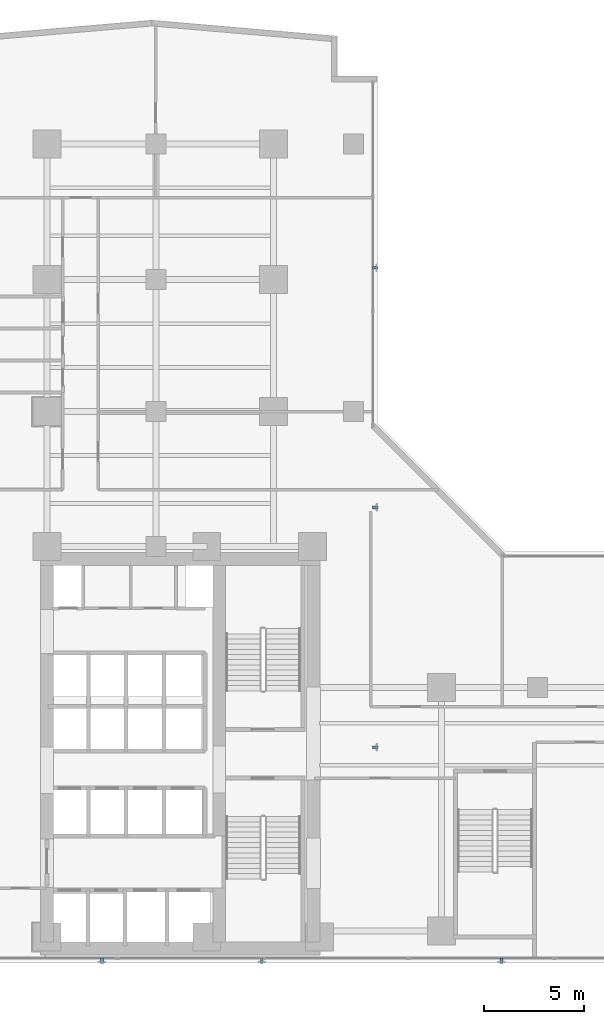
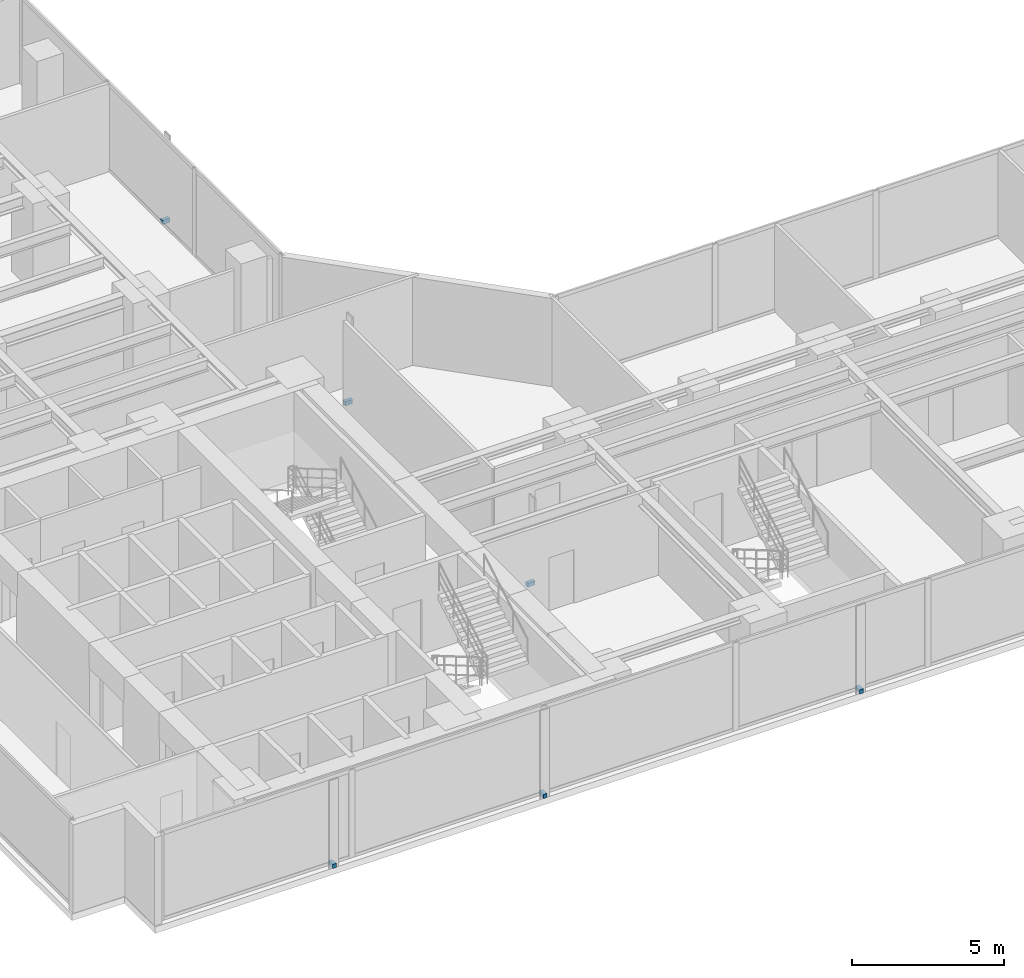
# One storey, part 23 of 28: 6 discrete accessories.
"""IFC4 building model written with IfcOpenShell, lengths in metres."""

from ifc_helpers import new_model, si_unit, direction, frame, origin, origin_with_axes, origin_2d, place, context, subcontext, project, spatial, rectangle, extrude, source, transform, mapped, material, type_object, element, save


model = new_model("IFC4")

# Units and contexts
model_context = context("Model", 3, precision=1e-05, world=origin(), true_north=direction((0.0, 1.0)))
body_context = subcontext(model_context, "Body", "Model", "MODEL_VIEW")
ifc_project = project(units=[si_unit("LENGTHUNIT", "METRE"), si_unit("AREAUNIT", "SQUARE_METRE"), si_unit("VOLUMEUNIT", "CUBIC_METRE"), si_unit("PLANEANGLEUNIT", "RADIAN"), si_unit("MASSUNIT", "GRAM", prefix="KILO")], contexts=[model_context])

# Site, building, storey
site_placement = place(None, origin())
site = spatial("IfcSite", under=ifc_project, at=site_placement, CompositionType="ELEMENT")
building_placement = place(site_placement, origin())
building = spatial("IfcBuilding", under=site, at=building_placement, Name="Kolvaren Waterfront Exchange", CompositionType="ELEMENT")
storey_placement = place(building_placement, frame((0.0, 0.0, 103.10009765625)))
storey = spatial("IfcBuildingStorey", under=building, at=storey_placement, Name="L26", CompositionType="ELEMENT", Elevation=103.10009765625)

# Discrete accessories
ifc_material = material(Name="Stainless steel 316", Category="steel")
discrete_accessory_type = type_object("IfcDiscreteAccessoryType", Name="ARC-BRK-FIN", PredefinedType="BRACKET", material=ifc_material)
shared_shape = source(origin_with_axes(), body_context, "Body", "SweptSolid", [
    extrude(rectangle(XDim=0.280029296875, YDim=0.139892578125, at=origin_2d()), origin(), (0.0, 0.0, 1.0), 0.159912109375),
])
for number, where, z_axis, x_axis, name in (
    (1, (10.199951171875, 3.719970703125, 0.0), (0.0, 0.0, 1.0), (0.0, -1.0, 0.0), "L26 bronze fin anchor bracket FIN-L26-S1"),
    (2, (18.199951171875, 3.719970703125, 0.0), (0.0, 0.0, 1.0), (0.0, -1.0, 0.0), "L26 bronze fin anchor bracket FIN-L26-S2"),
    (3, (30.199951171875, 3.719970703125, 0.0), (0.0, 0.0, 1.0), (0.0, -1.0, 0.0), "L26 bronze fin anchor bracket FIN-L26-S3"),
    (4, (23.8798828125, 14.39990234375, 0.0), (0.0, 0.0, 1.0), (1.0, 0.0, 0.0), "L26 bronze fin anchor bracket FIN-L26-E1"),
    (5, (23.8798828125, 26.39990234375, 0.0), (0.0, 0.0, 1.0), (1.0, 0.0, 0.0), "L26 bronze fin anchor bracket FIN-L26-E2"),
    (6, (23.8798828125, 38.39990234375, 0.0), (0.0, 0.0, 1.0), (1.0, 0.0, 0.0), "L26 bronze fin anchor bracket FIN-L26-E3"),
):
    element("IfcDiscreteAccessory", number, at=place(storey_placement, frame(where, z_axis=z_axis, x_axis=x_axis)), inside=storey, type_object=discrete_accessory_type, Name=name, PredefinedType="BRACKET", context=body_context, shape_type="MappedRepresentation", body=[
        mapped(shared_shape, transform((0.0, 0.0, 0.0), x_axis=(1.0, 0.0, 0.0), y_axis=(0.0, 1.0, 0.0), z_axis=(0.0, 0.0, 1.0), scale=1.0)),
    ])

save(model, "model.ifc")
